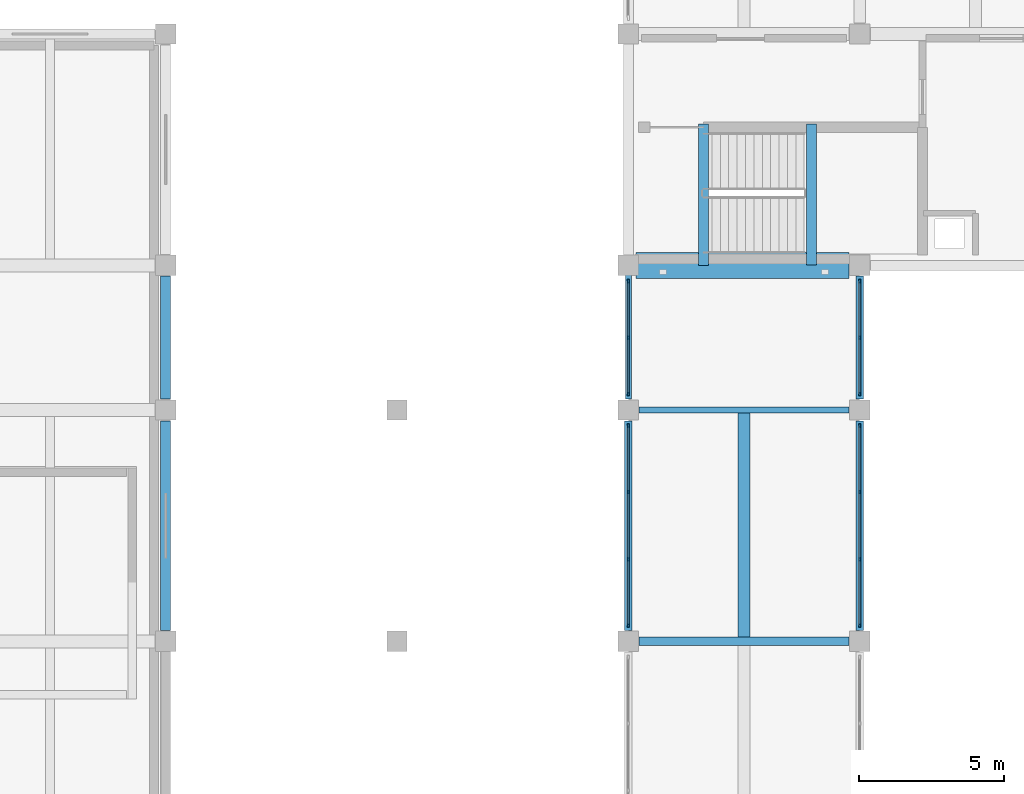
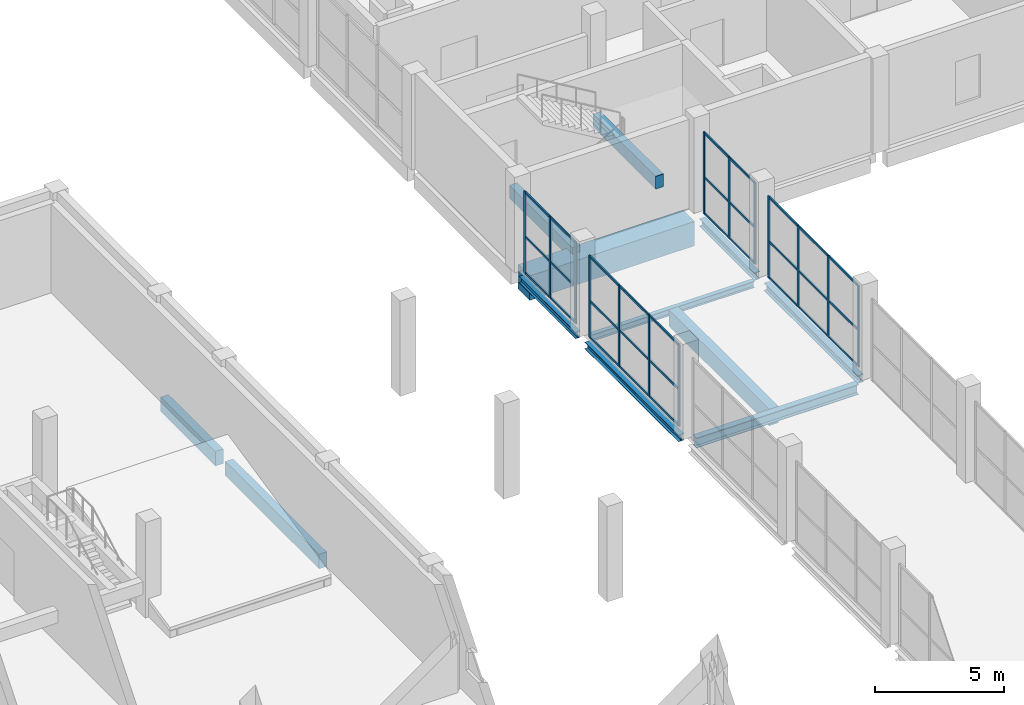
# One storey, part 11 of 45: 44 members, 12 beams, 4 elements without a shape of their own.
"""IFC4 building model written with IfcOpenShell, lengths in metres."""

from ifc_helpers import new_model, si_unit, direction, frame, origin, origin_2d, place, context, subcontext, project, spatial, rectangle, i_section, extrude, material, layer, layer_set, material_profile, profile_set, type_object, element, aggregate, save


model = new_model("IFC4")

# Units and contexts
model_context = context("Model", 3, precision=1e-05, world=origin(), true_north=direction((0.0, 1.0)))
body_context = subcontext(model_context, "Body", "Model", "MODEL_VIEW")
ifc_project = project(units=[si_unit("LENGTHUNIT", "METRE"), si_unit("AREAUNIT", "SQUARE_METRE"), si_unit("VOLUMEUNIT", "CUBIC_METRE"), si_unit("PLANEANGLEUNIT", "RADIAN"), si_unit("MASSUNIT", "GRAM", prefix="KILO")], contexts=[model_context])

# Site, building, storey
site_placement = place(None, origin())
site = spatial("IfcSite", under=ifc_project, at=site_placement, CompositionType="ELEMENT")
building_placement = place(site_placement, origin())
building = spatial("IfcBuilding", under=site, at=building_placement, Name="Qorikala Patio Media Centre", CompositionType="ELEMENT")
storey_placement = place(building_placement, frame((0.0, 0.0, 9.89990234375)))
storey = spatial("IfcBuildingStorey", under=building, at=storey_placement, Name="L02", CompositionType="ELEMENT", Elevation=9.89990234375)

# Beams
ifc_material_1 = material(Name="Concrete C35/45", Category="concrete")
ifc_material_profile_1 = material_profile(ifc_material_1, rectangle(XDim=0.35009765625, YDim=0.60009765625, at=origin_2d()), Name="RC 350x600")
ifc_profile_set_1 = profile_set([ifc_material_profile_1], Name="Concrete C35/45")
beam_type_1 = type_object("IfcBeamType", Name="BM-G350X600", PredefinedType="BEAM", material=ifc_profile_set_1)
beam_1_placement = place(storey_placement, frame((53.60009765625, 64.0, -0.2998046875), z_axis=(0.0, 1.0, 0.0), x_axis=(-1.0, 0.0, 0.0)))
element("IfcBeam", 1, at=beam_1_placement, inside=storey, type_object=beam_type_1, Name="L02 ST-6 Well Trimmer Beam", PredefinedType="BEAM", context=body_context, shape_type="SweptSolid", body=[
    extrude(rectangle(XDim=0.35009765625, YDim=0.60009765625, at=origin_2d()), origin(), (0.0, 0.0, 1.0), 4.8798828125),
])
beam_2_placement = place(storey_placement, frame((57.330078125, 64.02001953125, 1.75), z_axis=(0.0, 1.0, 0.0), x_axis=(-1.0, 0.0, 0.0)))
element("IfcBeam", 2, at=beam_2_placement, inside=storey, type_object=beam_type_1, Name="L02 ST-6 Landing Beam 1", PredefinedType="BEAM", context=body_context, shape_type="SweptSolid", body=[
    extrude(rectangle(XDim=0.35009765625, YDim=0.60009765625, at=origin_2d()), origin(), (0.0, 0.0, 1.0), 4.85986328125),
])
ifc_material_profile_2 = material_profile(ifc_material_1, rectangle(XDim=0.89990234375, YDim=1.14990234375, at=origin_2d()), Name="RC 900x1150")
ifc_profile_set_2 = profile_set([ifc_material_profile_2], Name="Concrete C35/45")
beam_type_2 = type_object("IfcBeamType", Name="BM-TR900X1150", PredefinedType="BEAM", material=ifc_profile_set_2)
beam_3_placement = place(storey_placement, frame((51.260009765625, 64.0, -0.875), z_axis=(1.0, 0.0, 0.0), x_axis=(0.0, 1.0, 0.0)))
element("IfcBeam", 3, at=beam_3_placement, inside=storey, type_object=beam_type_2, Name="L02 Grid 64 Beam 0858", PredefinedType="BEAM", context=body_context, shape_type="SweptSolid", body=[
    extrude(rectangle(XDim=0.89990234375, YDim=1.14990234375, at=origin_2d()), origin(), (0.0, 0.0, 1.0), 7.364990234375),
])

# Curtain wall, members
ifc_material_2 = material(Name="Bronze Anodised Aluminium and Low-E Glass", Category="aluminium")
ifc_layer_1 = layer(ifc_material_2, 0.159912109375)
ifc_layer_set_1 = layer_set([ifc_layer_1], Name="Bronze Anodised Aluminium and Low-E Glass")
curtain_wall_type_1 = type_object("IfcCurtainWallType", Name="CW-BRG-696X385", PredefinedType="USERDEFINED", material=ifc_layer_set_1)
curtain_wall_1_placement = place(storey_placement, origin())
curtain_wall_1 = element("IfcCurtainWall", 4, at=curtain_wall_1_placement, inside=storey, type_object=curtain_wall_type_1, Name="L02 Courtyard Curtain Wall 049", ObjectType="COURTYARD CURTAIN WALL", PredefinedType="USERDEFINED")
ifc_material_3 = material(Name="Bronze Anodised Aluminium", Category="aluminium")
ifc_material_profile_3 = material_profile(ifc_material_3, rectangle(XDim=0.06005859375, YDim=0.1298828125, at=origin_2d()), Name="ALU MULLION 60x130")
ifc_profile_set_3 = profile_set([ifc_material_profile_3], Name="Bronze Anodised Aluminium")
member_type_1 = type_object("IfcMemberType", Name="CWM-60X130", PredefinedType="MULLION", material=ifc_profile_set_3)
member_1_placement = place(storey_placement, frame((51.0, 51.550048828125, 0.0), z_axis=(0.0, 0.0, 1.0), x_axis=(-1.0, 0.0, 0.0)))
member_1 = element("IfcMember", 5, at=member_1_placement, type_object=member_type_1, Name="CWB696385 mullion 1", PredefinedType="MULLION", context=body_context, shape_type="SweptSolid", body=[
    extrude(rectangle(XDim=0.06005859375, YDim=0.1298828125, at=origin_2d()), origin(), (0.0, 0.0, 1.0), 3.85009765625),
])
member_2_placement = place(storey_placement, frame((51.0, 53.840087890625, 0.0), z_axis=(0.0, 0.0, 1.0), x_axis=(-1.0, 0.0, 0.0)))
member_2 = element("IfcMember", 6, at=member_2_placement, type_object=member_type_1, Name="CWB696385 mullion 2", PredefinedType="MULLION", context=body_context, shape_type="SweptSolid", body=[
    extrude(rectangle(XDim=0.06005859375, YDim=0.1298828125, at=origin_2d()), origin(), (0.0, 0.0, 1.0), 3.85009765625),
])
member_3_placement = place(storey_placement, frame((51.0, 56.159912109375, 0.0), z_axis=(0.0, 0.0, 1.0), x_axis=(-1.0, 0.0, 0.0)))
member_3 = element("IfcMember", 7, at=member_3_placement, type_object=member_type_1, Name="CWB696385 mullion 3", PredefinedType="MULLION", context=body_context, shape_type="SweptSolid", body=[
    extrude(rectangle(XDim=0.06005859375, YDim=0.1298828125, at=origin_2d()), origin(), (0.0, 0.0, 1.0), 3.85009765625),
])
member_4_placement = place(storey_placement, frame((51.0, 58.449951171875, 0.0), z_axis=(0.0, 0.0, 1.0), x_axis=(-1.0, 0.0, 0.0)))
member_4 = element("IfcMember", 8, at=member_4_placement, type_object=member_type_1, Name="CWB696385 mullion 4", PredefinedType="MULLION", context=body_context, shape_type="SweptSolid", body=[
    extrude(rectangle(XDim=0.06005859375, YDim=0.1298828125, at=origin_2d()), origin(), (0.0, 0.0, 1.0), 3.85009765625),
])

ifc_layer_2 = layer(ifc_material_2, 0.159912109375)
ifc_layer_set_2 = layer_set([ifc_layer_2], Name="Bronze Anodised Aluminium and Low-E Glass")
curtain_wall_type_2 = type_object("IfcCurtainWallType", Name="CW-BRG-396X385", PredefinedType="USERDEFINED", material=ifc_layer_set_2)
curtain_wall_2_placement = place(storey_placement, origin())
curtain_wall_2 = element("IfcCurtainWall", 9, at=curtain_wall_2_placement, inside=storey, type_object=curtain_wall_type_2, Name="L02 Courtyard Curtain Wall 050", ObjectType="COURTYARD CURTAIN WALL", PredefinedType="USERDEFINED")
member_5_placement = place(storey_placement, frame((51.0, 59.550048828125, 0.0), z_axis=(0.0, 0.0, 1.0), x_axis=(-1.0, 0.0, 0.0)))
member_5 = element("IfcMember", 10, at=member_5_placement, type_object=member_type_1, Name="CWB396385 mullion 1", PredefinedType="MULLION", context=body_context, shape_type="SweptSolid", body=[
    extrude(rectangle(XDim=0.06005859375, YDim=0.1298828125, at=origin_2d()), origin(), (0.0, 0.0, 1.0), 3.85009765625),
])
member_6_placement = place(storey_placement, frame((51.0, 61.5, 0.0), z_axis=(0.0, 0.0, 1.0), x_axis=(-1.0, 0.0, 0.0)))
member_6 = element("IfcMember", 11, at=member_6_placement, type_object=member_type_1, Name="CWB396385 mullion 2", PredefinedType="MULLION", context=body_context, shape_type="SweptSolid", body=[
    extrude(rectangle(XDim=0.06005859375, YDim=0.1298828125, at=origin_2d()), origin(), (0.0, 0.0, 1.0), 3.85009765625),
])
member_7_placement = place(storey_placement, frame((51.0, 63.449951171875, 0.0), z_axis=(0.0, 0.0, 1.0), x_axis=(-1.0, 0.0, 0.0)))
member_7 = element("IfcMember", 12, at=member_7_placement, type_object=member_type_1, Name="CWB396385 mullion 3", PredefinedType="MULLION", context=body_context, shape_type="SweptSolid", body=[
    extrude(rectangle(XDim=0.06005859375, YDim=0.1298828125, at=origin_2d()), origin(), (0.0, 0.0, 1.0), 3.85009765625),
])

curtain_wall_3_placement = place(storey_placement, origin())
curtain_wall_3 = element("IfcCurtainWall", 13, at=curtain_wall_3_placement, inside=storey, type_object=curtain_wall_type_2, Name="L02 Courtyard Curtain Wall 054", ObjectType="COURTYARD CURTAIN WALL", PredefinedType="USERDEFINED")
member_8_placement = place(storey_placement, frame((59.0, 63.449951171875, 0.0), z_axis=(0.0, 0.0, 1.0), x_axis=(1.0, 0.0, 0.0)))
member_8 = element("IfcMember", 14, at=member_8_placement, type_object=member_type_1, Name="CWB396385 mullion 1", PredefinedType="MULLION", context=body_context, shape_type="SweptSolid", body=[
    extrude(rectangle(XDim=0.06005859375, YDim=0.1298828125, at=origin_2d()), origin(), (0.0, 0.0, 1.0), 3.85009765625),
])
member_9_placement = place(storey_placement, frame((59.0, 61.5, 0.0), z_axis=(0.0, 0.0, 1.0), x_axis=(1.0, 0.0, 0.0)))
member_9 = element("IfcMember", 15, at=member_9_placement, type_object=member_type_1, Name="CWB396385 mullion 2", PredefinedType="MULLION", context=body_context, shape_type="SweptSolid", body=[
    extrude(rectangle(XDim=0.06005859375, YDim=0.1298828125, at=origin_2d()), origin(), (0.0, 0.0, 1.0), 3.85009765625),
])
member_10_placement = place(storey_placement, frame((59.0, 59.550048828125, 0.0), z_axis=(0.0, 0.0, 1.0), x_axis=(1.0, 0.0, 0.0)))
member_10 = element("IfcMember", 16, at=member_10_placement, type_object=member_type_1, Name="CWB396385 mullion 3", PredefinedType="MULLION", context=body_context, shape_type="SweptSolid", body=[
    extrude(rectangle(XDim=0.06005859375, YDim=0.1298828125, at=origin_2d()), origin(), (0.0, 0.0, 1.0), 3.85009765625),
])

curtain_wall_4_placement = place(storey_placement, origin())
curtain_wall_4 = element("IfcCurtainWall", 17, at=curtain_wall_4_placement, inside=storey, type_object=curtain_wall_type_1, Name="L02 Courtyard Curtain Wall 055", ObjectType="COURTYARD CURTAIN WALL", PredefinedType="USERDEFINED")
member_11_placement = place(storey_placement, frame((59.0, 58.449951171875, 0.0), z_axis=(0.0, 0.0, 1.0), x_axis=(1.0, 0.0, 0.0)))
member_11 = element("IfcMember", 18, at=member_11_placement, type_object=member_type_1, Name="CWB696385 mullion 1", PredefinedType="MULLION", context=body_context, shape_type="SweptSolid", body=[
    extrude(rectangle(XDim=0.06005859375, YDim=0.1298828125, at=origin_2d()), origin(), (0.0, 0.0, 1.0), 3.85009765625),
])
member_12_placement = place(storey_placement, frame((59.0, 56.159912109375, 0.0), z_axis=(0.0, 0.0, 1.0), x_axis=(1.0, 0.0, 0.0)))
member_12 = element("IfcMember", 19, at=member_12_placement, type_object=member_type_1, Name="CWB696385 mullion 2", PredefinedType="MULLION", context=body_context, shape_type="SweptSolid", body=[
    extrude(rectangle(XDim=0.06005859375, YDim=0.1298828125, at=origin_2d()), origin(), (0.0, 0.0, 1.0), 3.85009765625),
])
member_13_placement = place(storey_placement, frame((59.0, 53.840087890625, 0.0), z_axis=(0.0, 0.0, 1.0), x_axis=(1.0, 0.0, 0.0)))
member_13 = element("IfcMember", 20, at=member_13_placement, type_object=member_type_1, Name="CWB696385 mullion 3", PredefinedType="MULLION", context=body_context, shape_type="SweptSolid", body=[
    extrude(rectangle(XDim=0.06005859375, YDim=0.1298828125, at=origin_2d()), origin(), (0.0, 0.0, 1.0), 3.85009765625),
])
member_14_placement = place(storey_placement, frame((59.0, 51.550048828125, 0.0), z_axis=(0.0, 0.0, 1.0), x_axis=(1.0, 0.0, 0.0)))
member_14 = element("IfcMember", 21, at=member_14_placement, type_object=member_type_1, Name="CWB696385 mullion 4", PredefinedType="MULLION", context=body_context, shape_type="SweptSolid", body=[
    extrude(rectangle(XDim=0.06005859375, YDim=0.1298828125, at=origin_2d()), origin(), (0.0, 0.0, 1.0), 3.85009765625),
])

# Member
ifc_material_profile_4 = material_profile(ifc_material_3, rectangle(XDim=0.06005859375, YDim=0.10009765625, at=origin_2d()), Name="ALU TRANSOM 60x100")
ifc_profile_set_4 = profile_set([ifc_material_profile_4], Name="Bronze Anodised Aluminium")
member_type_2 = type_object("IfcMemberType", Name="CWT-60X100", PredefinedType="USERDEFINED", material=ifc_profile_set_4)
member_15_placement = place(storey_placement, frame((51.0, 51.580078125, 0.030029296875), z_axis=(0.0, 1.0, 0.0), x_axis=(-1.0, 0.0, 0.0)))
member_15 = element("IfcMember", 22, at=member_15_placement, type_object=member_type_2, Name="CWB696385 transom 1.1", ObjectType="TRANSOM", PredefinedType="USERDEFINED", context=body_context, shape_type="SweptSolid", body=[
    extrude(rectangle(XDim=0.06005859375, YDim=0.10009765625, at=origin_2d()), origin(), (0.0, 0.0, 1.0), 2.22998046875),
])

member_16_placement = place(storey_placement, frame((51.0, 51.580078125, 1.732666015625), z_axis=(0.0, 1.0, 0.0), x_axis=(-1.0, 0.0, 0.0)))
member_16 = element("IfcMember", 23, at=member_16_placement, type_object=member_type_2, Name="CWB696385 transom 1.2", ObjectType="TRANSOM", PredefinedType="USERDEFINED", context=body_context, shape_type="SweptSolid", body=[
    extrude(rectangle(XDim=0.06005859375, YDim=0.10009765625, at=origin_2d()), origin(), (0.0, 0.0, 1.0), 2.22998046875),
])

member_17_placement = place(storey_placement, frame((51.0, 51.580078125, 3.820068359375), z_axis=(0.0, 1.0, 0.0), x_axis=(-1.0, 0.0, 0.0)))
member_17 = element("IfcMember", 24, at=member_17_placement, type_object=member_type_2, Name="CWB696385 transom 1.3", ObjectType="TRANSOM", PredefinedType="USERDEFINED", context=body_context, shape_type="SweptSolid", body=[
    extrude(rectangle(XDim=0.06005859375, YDim=0.10009765625, at=origin_2d()), origin(), (0.0, 0.0, 1.0), 2.22998046875),
])

member_18_placement = place(storey_placement, frame((51.0, 53.8701171875, 0.030029296875), z_axis=(0.0, 1.0, 0.0), x_axis=(-1.0, 0.0, 0.0)))
member_18 = element("IfcMember", 25, at=member_18_placement, type_object=member_type_2, Name="CWB696385 transom 2.1", ObjectType="TRANSOM", PredefinedType="USERDEFINED", context=body_context, shape_type="SweptSolid", body=[
    extrude(rectangle(XDim=0.06005859375, YDim=0.10009765625, at=origin_2d()), origin(), (0.0, 0.0, 1.0), 2.259765625),
])

member_19_placement = place(storey_placement, frame((51.0, 53.8701171875, 1.732666015625), z_axis=(0.0, 1.0, 0.0), x_axis=(-1.0, 0.0, 0.0)))
member_19 = element("IfcMember", 26, at=member_19_placement, type_object=member_type_2, Name="CWB696385 transom 2.2", ObjectType="TRANSOM", PredefinedType="USERDEFINED", context=body_context, shape_type="SweptSolid", body=[
    extrude(rectangle(XDim=0.06005859375, YDim=0.10009765625, at=origin_2d()), origin(), (0.0, 0.0, 1.0), 2.259765625),
])

member_20_placement = place(storey_placement, frame((51.0, 53.8701171875, 3.820068359375), z_axis=(0.0, 1.0, 0.0), x_axis=(-1.0, 0.0, 0.0)))
member_20 = element("IfcMember", 27, at=member_20_placement, type_object=member_type_2, Name="CWB696385 transom 2.3", ObjectType="TRANSOM", PredefinedType="USERDEFINED", context=body_context, shape_type="SweptSolid", body=[
    extrude(rectangle(XDim=0.06005859375, YDim=0.10009765625, at=origin_2d()), origin(), (0.0, 0.0, 1.0), 2.259765625),
])

member_21_placement = place(storey_placement, frame((51.0, 56.18994140625, 0.030029296875), z_axis=(0.0, 1.0, 0.0), x_axis=(-1.0, 0.0, 0.0)))
member_21 = element("IfcMember", 28, at=member_21_placement, type_object=member_type_2, Name="CWB696385 transom 3.1", ObjectType="TRANSOM", PredefinedType="USERDEFINED", context=body_context, shape_type="SweptSolid", body=[
    extrude(rectangle(XDim=0.06005859375, YDim=0.10009765625, at=origin_2d()), origin(), (0.0, 0.0, 1.0), 2.22998046875),
])

member_22_placement = place(storey_placement, frame((51.0, 56.18994140625, 1.732666015625), z_axis=(0.0, 1.0, 0.0), x_axis=(-1.0, 0.0, 0.0)))
member_22 = element("IfcMember", 29, at=member_22_placement, type_object=member_type_2, Name="CWB696385 transom 3.2", ObjectType="TRANSOM", PredefinedType="USERDEFINED", context=body_context, shape_type="SweptSolid", body=[
    extrude(rectangle(XDim=0.06005859375, YDim=0.10009765625, at=origin_2d()), origin(), (0.0, 0.0, 1.0), 2.22998046875),
])

member_23_placement = place(storey_placement, frame((51.0, 56.18994140625, 3.820068359375), z_axis=(0.0, 1.0, 0.0), x_axis=(-1.0, 0.0, 0.0)))
member_23 = element("IfcMember", 30, at=member_23_placement, type_object=member_type_2, Name="CWB696385 transom 3.3", ObjectType="TRANSOM", PredefinedType="USERDEFINED", context=body_context, shape_type="SweptSolid", body=[
    extrude(rectangle(XDim=0.06005859375, YDim=0.10009765625, at=origin_2d()), origin(), (0.0, 0.0, 1.0), 2.22998046875),
])

aggregate(curtain_wall_1, [member_1, member_2, member_3, member_4, member_15, member_16, member_17, member_18, member_19, member_20, member_21, member_22, member_23])

member_24_placement = place(storey_placement, frame((51.0, 59.580078125, 0.030029296875), z_axis=(0.0, 1.0, 0.0), x_axis=(-1.0, 0.0, 0.0)))
member_24 = element("IfcMember", 31, at=member_24_placement, type_object=member_type_2, Name="CWB396385 transom 1.1", ObjectType="TRANSOM", PredefinedType="USERDEFINED", context=body_context, shape_type="SweptSolid", body=[
    extrude(rectangle(XDim=0.06005859375, YDim=0.10009765625, at=origin_2d()), origin(), (0.0, 0.0, 1.0), 1.889892578125),
])

member_25_placement = place(storey_placement, frame((51.0, 59.580078125, 1.732666015625), z_axis=(0.0, 1.0, 0.0), x_axis=(-1.0, 0.0, 0.0)))
member_25 = element("IfcMember", 32, at=member_25_placement, type_object=member_type_2, Name="CWB396385 transom 1.2", ObjectType="TRANSOM", PredefinedType="USERDEFINED", context=body_context, shape_type="SweptSolid", body=[
    extrude(rectangle(XDim=0.06005859375, YDim=0.10009765625, at=origin_2d()), origin(), (0.0, 0.0, 1.0), 1.889892578125),
])

member_26_placement = place(storey_placement, frame((51.0, 59.580078125, 3.820068359375), z_axis=(0.0, 1.0, 0.0), x_axis=(-1.0, 0.0, 0.0)))
member_26 = element("IfcMember", 33, at=member_26_placement, type_object=member_type_2, Name="CWB396385 transom 1.3", ObjectType="TRANSOM", PredefinedType="USERDEFINED", context=body_context, shape_type="SweptSolid", body=[
    extrude(rectangle(XDim=0.06005859375, YDim=0.10009765625, at=origin_2d()), origin(), (0.0, 0.0, 1.0), 1.889892578125),
])

member_27_placement = place(storey_placement, frame((51.0, 61.530029296875, 0.030029296875), z_axis=(0.0, 1.0, 0.0), x_axis=(-1.0, 0.0, 0.0)))
member_27 = element("IfcMember", 34, at=member_27_placement, type_object=member_type_2, Name="CWB396385 transom 2.1", ObjectType="TRANSOM", PredefinedType="USERDEFINED", context=body_context, shape_type="SweptSolid", body=[
    extrude(rectangle(XDim=0.06005859375, YDim=0.10009765625, at=origin_2d()), origin(), (0.0, 0.0, 1.0), 1.889892578125),
])

member_28_placement = place(storey_placement, frame((51.0, 61.530029296875, 1.732666015625), z_axis=(0.0, 1.0, 0.0), x_axis=(-1.0, 0.0, 0.0)))
member_28 = element("IfcMember", 35, at=member_28_placement, type_object=member_type_2, Name="CWB396385 transom 2.2", ObjectType="TRANSOM", PredefinedType="USERDEFINED", context=body_context, shape_type="SweptSolid", body=[
    extrude(rectangle(XDim=0.06005859375, YDim=0.10009765625, at=origin_2d()), origin(), (0.0, 0.0, 1.0), 1.889892578125),
])

member_29_placement = place(storey_placement, frame((51.0, 61.530029296875, 3.820068359375), z_axis=(0.0, 1.0, 0.0), x_axis=(-1.0, 0.0, 0.0)))
member_29 = element("IfcMember", 36, at=member_29_placement, type_object=member_type_2, Name="CWB396385 transom 2.3", ObjectType="TRANSOM", PredefinedType="USERDEFINED", context=body_context, shape_type="SweptSolid", body=[
    extrude(rectangle(XDim=0.06005859375, YDim=0.10009765625, at=origin_2d()), origin(), (0.0, 0.0, 1.0), 1.889892578125),
])

aggregate(curtain_wall_2, [member_5, member_6, member_7, member_24, member_25, member_26, member_27, member_28, member_29])

member_30_placement = place(storey_placement, frame((59.0, 63.419921875, 0.030029296875), z_axis=(0.0, -1.0, 0.0), x_axis=(1.0, 0.0, 0.0)))
member_30 = element("IfcMember", 37, at=member_30_placement, type_object=member_type_2, Name="CWB396385 transom 1.1", ObjectType="TRANSOM", PredefinedType="USERDEFINED", context=body_context, shape_type="SweptSolid", body=[
    extrude(rectangle(XDim=0.06005859375, YDim=0.10009765625, at=origin_2d()), origin(), (0.0, 0.0, 1.0), 1.889892578125),
])

member_31_placement = place(storey_placement, frame((59.0, 63.419921875, 1.732666015625), z_axis=(0.0, -1.0, 0.0), x_axis=(1.0, 0.0, 0.0)))
member_31 = element("IfcMember", 38, at=member_31_placement, type_object=member_type_2, Name="CWB396385 transom 1.2", ObjectType="TRANSOM", PredefinedType="USERDEFINED", context=body_context, shape_type="SweptSolid", body=[
    extrude(rectangle(XDim=0.06005859375, YDim=0.10009765625, at=origin_2d()), origin(), (0.0, 0.0, 1.0), 1.889892578125),
])

member_32_placement = place(storey_placement, frame((59.0, 63.419921875, 3.820068359375), z_axis=(0.0, -1.0, 0.0), x_axis=(1.0, 0.0, 0.0)))
member_32 = element("IfcMember", 39, at=member_32_placement, type_object=member_type_2, Name="CWB396385 transom 1.3", ObjectType="TRANSOM", PredefinedType="USERDEFINED", context=body_context, shape_type="SweptSolid", body=[
    extrude(rectangle(XDim=0.06005859375, YDim=0.10009765625, at=origin_2d()), origin(), (0.0, 0.0, 1.0), 1.889892578125),
])

member_33_placement = place(storey_placement, frame((59.0, 61.469970703125, 0.030029296875), z_axis=(0.0, -1.0, 0.0), x_axis=(1.0, 0.0, 0.0)))
member_33 = element("IfcMember", 40, at=member_33_placement, type_object=member_type_2, Name="CWB396385 transom 2.1", ObjectType="TRANSOM", PredefinedType="USERDEFINED", context=body_context, shape_type="SweptSolid", body=[
    extrude(rectangle(XDim=0.06005859375, YDim=0.10009765625, at=origin_2d()), origin(), (0.0, 0.0, 1.0), 1.889892578125),
])

member_34_placement = place(storey_placement, frame((59.0, 61.469970703125, 1.732666015625), z_axis=(0.0, -1.0, 0.0), x_axis=(1.0, 0.0, 0.0)))
member_34 = element("IfcMember", 41, at=member_34_placement, type_object=member_type_2, Name="CWB396385 transom 2.2", ObjectType="TRANSOM", PredefinedType="USERDEFINED", context=body_context, shape_type="SweptSolid", body=[
    extrude(rectangle(XDim=0.06005859375, YDim=0.10009765625, at=origin_2d()), origin(), (0.0, 0.0, 1.0), 1.889892578125),
])

member_35_placement = place(storey_placement, frame((59.0, 61.469970703125, 3.820068359375), z_axis=(0.0, -1.0, 0.0), x_axis=(1.0, 0.0, 0.0)))
member_35 = element("IfcMember", 42, at=member_35_placement, type_object=member_type_2, Name="CWB396385 transom 2.3", ObjectType="TRANSOM", PredefinedType="USERDEFINED", context=body_context, shape_type="SweptSolid", body=[
    extrude(rectangle(XDim=0.06005859375, YDim=0.10009765625, at=origin_2d()), origin(), (0.0, 0.0, 1.0), 1.889892578125),
])

aggregate(curtain_wall_3, [member_8, member_9, member_10, member_30, member_31, member_32, member_33, member_34, member_35])

member_36_placement = place(storey_placement, frame((59.0, 58.419921875, 0.030029296875), z_axis=(0.0, -1.0, 0.0), x_axis=(1.0, 0.0, 0.0)))
member_36 = element("IfcMember", 43, at=member_36_placement, type_object=member_type_2, Name="CWB696385 transom 1.1", ObjectType="TRANSOM", PredefinedType="USERDEFINED", context=body_context, shape_type="SweptSolid", body=[
    extrude(rectangle(XDim=0.06005859375, YDim=0.10009765625, at=origin_2d()), origin(), (0.0, 0.0, 1.0), 2.22998046875),
])

member_37_placement = place(storey_placement, frame((59.0, 58.419921875, 1.732666015625), z_axis=(0.0, -1.0, 0.0), x_axis=(1.0, 0.0, 0.0)))
member_37 = element("IfcMember", 44, at=member_37_placement, type_object=member_type_2, Name="CWB696385 transom 1.2", ObjectType="TRANSOM", PredefinedType="USERDEFINED", context=body_context, shape_type="SweptSolid", body=[
    extrude(rectangle(XDim=0.06005859375, YDim=0.10009765625, at=origin_2d()), origin(), (0.0, 0.0, 1.0), 2.22998046875),
])

member_38_placement = place(storey_placement, frame((59.0, 58.419921875, 3.820068359375), z_axis=(0.0, -1.0, 0.0), x_axis=(1.0, 0.0, 0.0)))
member_38 = element("IfcMember", 45, at=member_38_placement, type_object=member_type_2, Name="CWB696385 transom 1.3", ObjectType="TRANSOM", PredefinedType="USERDEFINED", context=body_context, shape_type="SweptSolid", body=[
    extrude(rectangle(XDim=0.06005859375, YDim=0.10009765625, at=origin_2d()), origin(), (0.0, 0.0, 1.0), 2.22998046875),
])

member_39_placement = place(storey_placement, frame((59.0, 56.1298828125, 0.030029296875), z_axis=(0.0, -1.0, 0.0), x_axis=(1.0, 0.0, 0.0)))
member_39 = element("IfcMember", 46, at=member_39_placement, type_object=member_type_2, Name="CWB696385 transom 2.1", ObjectType="TRANSOM", PredefinedType="USERDEFINED", context=body_context, shape_type="SweptSolid", body=[
    extrude(rectangle(XDim=0.06005859375, YDim=0.10009765625, at=origin_2d()), origin(), (0.0, 0.0, 1.0), 2.259765625),
])

member_40_placement = place(storey_placement, frame((59.0, 56.1298828125, 1.732666015625), z_axis=(0.0, -1.0, 0.0), x_axis=(1.0, 0.0, 0.0)))
member_40 = element("IfcMember", 47, at=member_40_placement, type_object=member_type_2, Name="CWB696385 transom 2.2", ObjectType="TRANSOM", PredefinedType="USERDEFINED", context=body_context, shape_type="SweptSolid", body=[
    extrude(rectangle(XDim=0.06005859375, YDim=0.10009765625, at=origin_2d()), origin(), (0.0, 0.0, 1.0), 2.259765625),
])

member_41_placement = place(storey_placement, frame((59.0, 56.1298828125, 3.820068359375), z_axis=(0.0, -1.0, 0.0), x_axis=(1.0, 0.0, 0.0)))
member_41 = element("IfcMember", 48, at=member_41_placement, type_object=member_type_2, Name="CWB696385 transom 2.3", ObjectType="TRANSOM", PredefinedType="USERDEFINED", context=body_context, shape_type="SweptSolid", body=[
    extrude(rectangle(XDim=0.06005859375, YDim=0.10009765625, at=origin_2d()), origin(), (0.0, 0.0, 1.0), 2.259765625),
])

member_42_placement = place(storey_placement, frame((59.0, 53.81005859375, 0.030029296875), z_axis=(0.0, -1.0, 0.0), x_axis=(1.0, 0.0, 0.0)))
member_42 = element("IfcMember", 49, at=member_42_placement, type_object=member_type_2, Name="CWB696385 transom 3.1", ObjectType="TRANSOM", PredefinedType="USERDEFINED", context=body_context, shape_type="SweptSolid", body=[
    extrude(rectangle(XDim=0.06005859375, YDim=0.10009765625, at=origin_2d()), origin(), (0.0, 0.0, 1.0), 2.22998046875),
])

member_43_placement = place(storey_placement, frame((59.0, 53.81005859375, 1.732666015625), z_axis=(0.0, -1.0, 0.0), x_axis=(1.0, 0.0, 0.0)))
member_43 = element("IfcMember", 50, at=member_43_placement, type_object=member_type_2, Name="CWB696385 transom 3.2", ObjectType="TRANSOM", PredefinedType="USERDEFINED", context=body_context, shape_type="SweptSolid", body=[
    extrude(rectangle(XDim=0.06005859375, YDim=0.10009765625, at=origin_2d()), origin(), (0.0, 0.0, 1.0), 2.22998046875),
])

member_44_placement = place(storey_placement, frame((59.0, 53.81005859375, 3.820068359375), z_axis=(0.0, -1.0, 0.0), x_axis=(1.0, 0.0, 0.0)))
member_44 = element("IfcMember", 51, at=member_44_placement, type_object=member_type_2, Name="CWB696385 transom 3.3", ObjectType="TRANSOM", PredefinedType="USERDEFINED", context=body_context, shape_type="SweptSolid", body=[
    extrude(rectangle(XDim=0.06005859375, YDim=0.10009765625, at=origin_2d()), origin(), (0.0, 0.0, 1.0), 2.22998046875),
])

aggregate(curtain_wall_4, [member_11, member_12, member_13, member_14, member_36, member_37, member_38, member_39, member_40, member_41, member_42, member_43, member_44])

# Beams
ifc_material_4 = material(Name="Steel S355", Category="steel")
ifc_material_profile_5 = material_profile(ifc_material_4, i_section(OverallWidth=0.202880859375, OverallDepth=0.302978515625, WebThickness=0.007568359375, FlangeThickness=0.01318359375, at=origin_2d()), Name="W310X60")
ifc_profile_set_5 = profile_set([ifc_material_profile_5], Name="Steel S355")
beam_type_3 = type_object("IfcBeamType", Name="SBM-W310X60", PredefinedType="BEAM", material=ifc_profile_set_5)
beam_4_placement = place(storey_placement, frame((51.375, 59.0, -0.451416015625), z_axis=(1.0, 0.0, 0.0), x_axis=(0.0, 1.0, 0.0)))
element("IfcBeam", 52, at=beam_4_placement, inside=storey, type_object=beam_type_3, Name="L02 Grid 59 Beam 0853", PredefinedType="BEAM", context=body_context, shape_type="SweptSolid", body=[
    extrude(i_section(OverallWidth=0.202880859375, OverallDepth=0.302978515625, WebThickness=0.007568359375, FlangeThickness=0.01318359375, at=origin_2d()), origin(), (0.0, 0.0, 1.0), 7.25),
])
ifc_material_profile_6 = material_profile(ifc_material_4, i_section(OverallWidth=0.202880859375, OverallDepth=0.302978515625, WebThickness=0.007568359375, FlangeThickness=0.01318359375, at=origin_2d()), Name="W310X60")
ifc_profile_set_6 = profile_set([ifc_material_profile_6], Name="Steel S355")
beam_type_4 = type_object("IfcBeamType", Name="SBM-W310X60-EXT", PredefinedType="BEAM", material=ifc_profile_set_6)
beam_5_placement = place(storey_placement, frame((51.0, 59.375, -0.451416015625), z_axis=(0.0, 1.0, 0.0), x_axis=(-1.0, 0.0, 0.0)))
element("IfcBeam", 53, at=beam_5_placement, inside=storey, type_object=beam_type_4, Name="L02 Grid X=51 Beam 0951", PredefinedType="BEAM", context=body_context, shape_type="SweptSolid", body=[
    extrude(i_section(OverallWidth=0.202880859375, OverallDepth=0.302978515625, WebThickness=0.007568359375, FlangeThickness=0.01318359375, at=origin_2d()), origin(), (0.0, 0.0, 1.0), 4.364990234375),
])
ifc_material_profile_7 = material_profile(ifc_material_4, i_section(OverallWidth=0.25390625, OverallDepth=0.31005859375, WebThickness=0.009033203125, FlangeThickness=0.016357421875, at=origin_2d()), Name="W310X86")
ifc_profile_set_7 = profile_set([ifc_material_profile_7], Name="Steel S355")
beam_type_5 = type_object("IfcBeamType", Name="SBM-W310X86-EXT", PredefinedType="BEAM", material=ifc_profile_set_7)
beam_6_placement = place(storey_placement, frame((51.0, 51.375, -0.454833984375), z_axis=(0.0, 1.0, 0.0), x_axis=(-1.0, 0.0, 0.0)))
element("IfcBeam", 54, at=beam_6_placement, inside=storey, type_object=beam_type_5, Name="L02 Grid X=51 Beam 0950", PredefinedType="BEAM", context=body_context, shape_type="SweptSolid", body=[
    extrude(i_section(OverallWidth=0.25390625, OverallDepth=0.31005859375, WebThickness=0.009033203125, FlangeThickness=0.016357421875, at=origin_2d()), origin(), (0.0, 0.0, 1.0), 7.25),
])
ifc_material_profile_8 = material_profile(ifc_material_4, i_section(OverallWidth=0.257080078125, OverallDepth=0.363037109375, WebThickness=0.012939453125, FlangeThickness=0.021728515625, at=origin_2d()), Name="W360X122")
ifc_profile_set_8 = profile_set([ifc_material_profile_8], Name="Steel S355")
beam_type_6 = type_object("IfcBeamType", Name="SBM-W360X122-EXT", PredefinedType="BEAM", material=ifc_profile_set_8)
beam_7_placement = place(storey_placement, frame((59.0, 51.375, -0.4814453125), z_axis=(0.0, 1.0, 0.0), x_axis=(-1.0, 0.0, 0.0)))
element("IfcBeam", 55, at=beam_7_placement, inside=storey, type_object=beam_type_6, Name="L02 Grid X=59 Beam 0962", PredefinedType="BEAM", context=body_context, shape_type="SweptSolid", body=[
    extrude(i_section(OverallWidth=0.257080078125, OverallDepth=0.363037109375, WebThickness=0.012939453125, FlangeThickness=0.021728515625, at=origin_2d()), origin(), (0.0, 0.0, 1.0), 7.25),
])
ifc_material_profile_9 = material_profile(ifc_material_4, i_section(OverallWidth=0.25390625, OverallDepth=0.35302734375, WebThickness=0.009521484375, FlangeThickness=0.016357421875, at=origin_2d()), Name="W360X91")
ifc_profile_set_9 = profile_set([ifc_material_profile_9], Name="Steel S355")
beam_type_7 = type_object("IfcBeamType", Name="SBM-W360X91-EXT", PredefinedType="BEAM", material=ifc_profile_set_9)
beam_8_placement = place(storey_placement, frame((59.0, 59.375, -0.476318359375), z_axis=(0.0, 1.0, 0.0), x_axis=(-1.0, 0.0, 0.0)))
element("IfcBeam", 56, at=beam_8_placement, inside=storey, type_object=beam_type_7, Name="L02 Grid X=59 Beam 0963", PredefinedType="BEAM", context=body_context, shape_type="SweptSolid", body=[
    extrude(i_section(OverallWidth=0.25390625, OverallDepth=0.35302734375, WebThickness=0.009521484375, FlangeThickness=0.016357421875, at=origin_2d()), origin(), (0.0, 0.0, 1.0), 4.25),
])
ifc_material_profile_10 = material_profile(ifc_material_4, i_section(OverallWidth=0.282958984375, OverallDepth=0.471923828125, WebThickness=0.014892578125, FlangeThickness=0.025390625, at=origin_2d()), Name="W460X144")
ifc_profile_set_10 = profile_set([ifc_material_profile_10], Name="Steel S355")
beam_type_8 = type_object("IfcBeamType", Name="SBM-W460X144", PredefinedType="BEAM", material=ifc_profile_set_10)
beam_9_placement = place(storey_placement, frame((51.375, 51.0, -0.535888671875), z_axis=(1.0, 0.0, 0.0), x_axis=(0.0, 1.0, 0.0)))
element("IfcBeam", 57, at=beam_9_placement, inside=storey, type_object=beam_type_8, Name="L02 Grid 51 Beam 0848", PredefinedType="BEAM", context=body_context, shape_type="SweptSolid", body=[
    extrude(i_section(OverallWidth=0.282958984375, OverallDepth=0.471923828125, WebThickness=0.014892578125, FlangeThickness=0.025390625, at=origin_2d()), origin(), (0.0, 0.0, 1.0), 7.25),
])
ifc_material_profile_11 = material_profile(ifc_material_1, rectangle(XDim=0.35009765625, YDim=0.679931640625, at=origin_2d()), Name="RC 350x680")
ifc_profile_set_11 = profile_set([ifc_material_profile_11], Name="Concrete C35/45")
beam_type_9 = type_object("IfcBeamType", Name="SP-350X680", PredefinedType="SPANDREL", material=ifc_profile_set_11)
beam_10_placement = place(storey_placement, frame((35.0, 51.375, -0.639892578125), z_axis=(0.0, 1.0, 0.0), x_axis=(-1.0, 0.0, 0.0)))
element("IfcBeam", 58, at=beam_10_placement, inside=storey, type_object=beam_type_9, Name="L02 Grid X=35 Beam 0939", PredefinedType="SPANDREL", context=body_context, shape_type="SweptSolid", body=[
    extrude(rectangle(XDim=0.35009765625, YDim=0.679931640625, at=origin_2d()), origin(), (0.0, 0.0, 1.0), 7.25),
])
beam_11_placement = place(storey_placement, frame((35.0, 59.375, -0.639892578125), z_axis=(0.0, 1.0, 0.0), x_axis=(-1.0, 0.0, 0.0)))
element("IfcBeam", 59, at=beam_11_placement, inside=storey, type_object=beam_type_9, Name="L02 Grid X=35 Beam 0940", PredefinedType="SPANDREL", context=body_context, shape_type="SweptSolid", body=[
    extrude(rectangle(XDim=0.35009765625, YDim=0.679931640625, at=origin_2d()), origin(), (0.0, 0.0, 1.0), 4.25),
])
ifc_material_profile_12 = material_profile(ifc_material_1, rectangle(XDim=0.419921875, YDim=0.780029296875, at=origin_2d()), Name="RC 420x780")
ifc_profile_set_12 = profile_set([ifc_material_profile_12], Name="Concrete C35/45")
beam_type_10 = type_object("IfcBeamType", Name="TB-420X780", PredefinedType="T_BEAM", material=ifc_profile_set_12)
beam_12_placement = place(storey_placement, frame((55.0, 51.1416015625, -0.68994140625), z_axis=(0.0, 1.0, 0.0), x_axis=(-1.0, 0.0, 0.0)))
element("IfcBeam", 60, at=beam_12_placement, inside=storey, type_object=beam_type_10, Name="L02 Secondary Joist 1057", PredefinedType="T_BEAM", context=body_context, shape_type="SweptSolid", body=[
    extrude(rectangle(XDim=0.419921875, YDim=0.780029296875, at=origin_2d()), origin(), (0.0, 0.0, 1.0), 7.7568359375),
])

save(model, "model.ifc")
